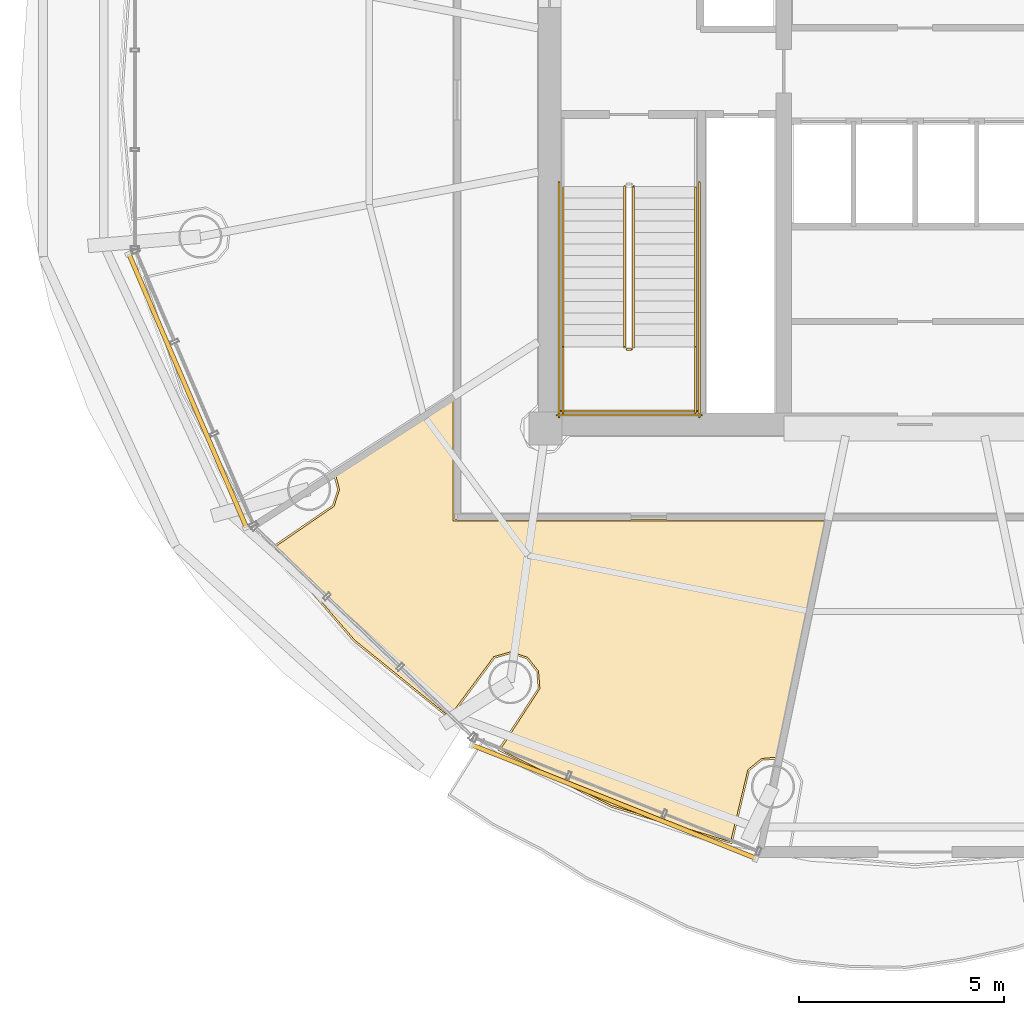
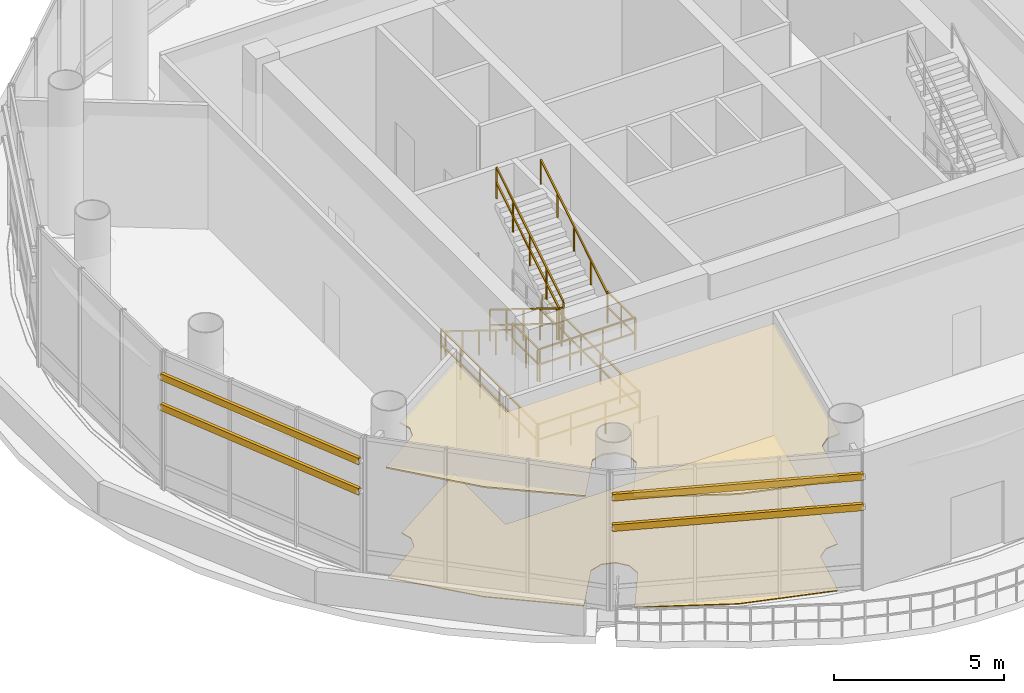
# One storey, part 19 of 22: 11 railings, 4 shading devices, 2 coverings.
"""IFC4 building model written with IfcOpenShell, lengths in metres."""

from ifc_helpers import new_model, si_unit, direction, frame, origin, origin_2d, place, context, subcontext, project, spatial, polyline, rectangle, hollow_rectangle, outline, extrude, source, transform, mapped, material, layer, layer_set, material_profile, profile_set, type_object, element, save


model = new_model("IFC4")

# Units and contexts
model_context = context("Model", 3, precision=1e-05, world=origin(), true_north=direction((-0.2419218956, 0.970295726276)))
body_context = subcontext(model_context, "Body", "Model", "MODEL_VIEW")
ifc_project = project(units=[si_unit("LENGTHUNIT", "METRE"), si_unit("AREAUNIT", "SQUARE_METRE"), si_unit("VOLUMEUNIT", "CUBIC_METRE"), si_unit("PLANEANGLEUNIT", "RADIAN"), si_unit("MASSUNIT", "GRAM", prefix="KILO")], contexts=[model_context])

# Site, building, storey
site_placement = place(None, origin())
site = spatial("IfcSite", under=ifc_project, at=site_placement, CompositionType="ELEMENT")
building_placement = place(site_placement, origin())
building = spatial("IfcBuilding", under=site, at=building_placement, Name="Cobrevalo Terracotta Tower", CompositionType="ELEMENT")
storey_placement = place(building_placement, frame((0.0, 0.0, 243.0)))
storey = spatial("IfcBuildingStorey", under=building, at=storey_placement, Name="L64", CompositionType="ELEMENT", Elevation=243.0)

# Coverings
ifc_material_1 = material(Name="Honed terracotta and granite tile", Category="masonry")
ifc_layer_1 = layer(ifc_material_1, 0.034912109375)
ifc_layer_set_1 = layer_set([ifc_layer_1], Name="Honed terracotta and granite tile")
covering_type_1 = type_object("IfcCoveringType", Name="Honed Terracotta & Granite Interior Flooring 35", PredefinedType="FLOORING", material=ifc_layer_set_1)
covering_1_placement = place(storey_placement, origin())
element("IfcCovering", 1, at=covering_1_placement, inside=storey, type_object=covering_type_1, Name="L64 Accessible Sky Restrooms WC floor finish", PredefinedType="FLOORING", context=body_context, shape_type="SweptSolid", body=[
    extrude(outline(polyline([(30.614013671875, 9.615966796875), (27.898681640625, 10.982666015625), (28.861572265625, 12.465576171875), (28.82763671875, 12.893798828125), (28.561279296875, 13.23095703125), (28.152587890625, 13.363525390625), (27.739013671875, 13.246337890625), (26.653564453125, 11.784423828125), (24.3525390625, 13.648193359375), (22.392578125, 15.903564453125), (23.84912109375, 16.905029296875), (23.9814453125, 17.31396484375), (23.885498046875, 17.685546875), (26.7451171875, 19.527099609375), (26.7451171875, 16.544921875), (35.86328125, 16.544921875), (34.678466796875, 10.80322265625), (34.25927734375, 10.763671875), (33.925048828125, 10.49365234375), (33.504150390625, 8.738037109375), (30.614013671875, 9.615966796875)])), origin(), (0.0, 0.0, 1.0), 0.030029296875),
])
ifc_material_2 = material(Name="Moisture-resistant mineral fibre ceiling", Category="gypsum")
ifc_layer_2 = layer(ifc_material_2, 0.0400390625)
ifc_layer_set_2 = layer_set([ifc_layer_2], Name="Moisture-resistant mineral fibre ceiling")
covering_type_2 = type_object("IfcCoveringType", Name="Moisture-Resistant Wet-Room Ceiling 40", PredefinedType="CEILING", material=ifc_layer_set_2)
covering_2_placement = place(storey_placement, frame((0.0, 0.0, 3.949951171875)))
element("IfcCovering", 2, at=covering_2_placement, inside=storey, type_object=covering_type_2, Name="L64 Accessible Sky Restrooms WC acoustic ceiling", PredefinedType="CEILING", context=body_context, shape_type="SweptSolid", body=[
    extrude(outline(polyline([(30.59716796875, 9.57421875), (27.835205078125, 10.969970703125), (28.8173828125, 12.47509765625), (28.785400390625, 12.877197265625), (28.535400390625, 13.19384765625), (28.151611328125, 13.318115234375), (27.763427734375, 13.208251953125), (26.665771484375, 11.72314453125), (24.3212890625, 13.61572265625), (22.3291015625, 15.916259765625), (23.81201171875, 16.930908203125), (23.936279296875, 17.314697265625), (23.826904296875, 17.701416015625), (26.7900390625, 19.609619140625), (26.7900390625, 16.590087890625), (35.918701171875, 16.590087890625), (34.71435546875, 10.754150390625), (34.2763671875, 10.7216796875), (33.96240234375, 10.46826171875), (33.5390625, 8.685546875), (30.59716796875, 9.57421875)])), origin(), (0.0, 0.0, 1.0), 0.050048828125),
])

# Railings
ifc_material_3 = material(Name="Brushed stainless steel", Category="steel")
railing_type_1 = type_object("IfcRailingType", Name="Stainless Steel Stair Handrail 900", PredefinedType="HANDRAIL", material=ifc_material_3)
railing_1_placement = place(storey_placement, frame((29.425048828125, 24.699951171875, 0.17333984375)))
element("IfcRailing", 3, at=railing_1_placement, inside=storey, type_object=railing_type_1, Name="L64 ST-1 stair handrail 1", PredefinedType="HANDRAIL", context=body_context, shape_type="SweptSolid", body=[
    extrude(rectangle(XDim=0.048095703125, YDim=0.048095703125, at=origin_2d()), frame((0.0, 0.0, 0.8759765625), z_axis=(0.0, -0.850251603719, 0.526376491091), x_axis=(1.0, 0.0, 0.0)), (0.0, 0.0, 1.0), 4.6103515625),
    extrude(rectangle(XDim=0.0419921875, YDim=0.0419921875, at=origin_2d()), origin(), (0.0, 0.0, 1.0), 0.851806640625),
    extrude(rectangle(XDim=0.0419921875, YDim=0.0419921875, at=origin_2d()), frame((0.0, -0.97998046875, 0.606689453125)), (0.0, 0.0, 1.0), 0.851806640625),
    extrude(rectangle(XDim=0.0419921875, YDim=0.0419921875, at=origin_2d()), frame((0.0, -1.9599609375, 1.21337890625)), (0.0, 0.0, 1.0), 0.851806640625),
    extrude(rectangle(XDim=0.0419921875, YDim=0.0419921875, at=origin_2d()), frame((0.0, -2.93994140625, 1.820068359375)), (0.0, 0.0, 1.0), 0.851806640625),
    extrude(rectangle(XDim=0.0419921875, YDim=0.0419921875, at=origin_2d()), frame((0.0, -3.919921875, 2.4267578125)), (0.0, 0.0, 1.0), 0.851806640625),
])
railing_2_placement = place(storey_placement, frame((32.64501953125, 20.780029296875, 2.7734375)))
element("IfcRailing", 4, at=railing_2_placement, inside=storey, type_object=railing_type_1, Name="L64 ST-1 stair handrail 2", PredefinedType="HANDRAIL", context=body_context, shape_type="SweptSolid", body=[
    extrude(rectangle(XDim=0.048095703125, YDim=0.048095703125, at=origin_2d()), frame((0.0, 0.0, 0.8759765625), z_axis=(0.0, 0.850275303828, 0.526338206574), x_axis=(-1.0, 0.0, 0.0)), (0.0, 0.0, 1.0), 4.610107421875),
    extrude(rectangle(XDim=0.0419921875, YDim=0.0419921875, at=origin_2d()), origin(), (0.0, 0.0, 1.0), 0.851806640625),
    extrude(rectangle(XDim=0.0419921875, YDim=0.0419921875, at=origin_2d()), frame((0.0, 0.97998046875, 0.606689453125)), (0.0, 0.0, 1.0), 0.851806640625),
    extrude(rectangle(XDim=0.0419921875, YDim=0.0419921875, at=origin_2d()), frame((0.0, 1.9599609375, 1.21337890625)), (0.0, 0.0, 1.0), 0.851806640625),
    extrude(rectangle(XDim=0.0419921875, YDim=0.0419921875, at=origin_2d()), frame((0.0, 2.93994140625, 1.81982421875)), (0.0, 0.0, 1.0), 0.851806640625),
    extrude(rectangle(XDim=0.0419921875, YDim=0.0419921875, at=origin_2d()), frame((0.0, 3.919921875, 2.426513671875)), (0.0, 0.0, 1.0), 0.851806640625),
])
ifc_material_4 = material(Name="Painted galvanized steel", Category="steel")
railing_type_2 = type_object("IfcRailingType", Name="Stair Well Guard Balustrade 1150", PredefinedType="GUARDRAIL", material=ifc_material_4)
railing_3_placement = place(storey_placement, frame((30.925048828125, 24.699951171875, 0.17333984375)))
element("IfcRailing", 5, at=railing_3_placement, inside=storey, type_object=railing_type_2, Name="L64 ST-1 stair guard 1", PredefinedType="GUARDRAIL", context=body_context, shape_type="SweptSolid", body=[
    extrude(rectangle(XDim=0.048095703125, YDim=0.048095703125, at=origin_2d()), frame((0.0, 0.0, 1.1259765625), z_axis=(0.0, -0.850251603719, 0.526376491091), x_axis=(1.0, 0.0, 0.0)), (0.0, 0.0, 1.0), 4.6103515625),
    extrude(rectangle(XDim=0.048095703125, YDim=0.048095703125, at=origin_2d()), frame((0.0, 0.0, 0.574951171875), z_axis=(0.0, -0.850251603719, 0.526376491091), x_axis=(1.0, 0.0, 0.0)), (0.0, 0.0, 1.0), 4.6103515625),
    extrude(rectangle(XDim=0.0419921875, YDim=0.0419921875, at=origin_2d()), origin(), (0.0, 0.0, 1.0), 1.101806640625),
    extrude(rectangle(XDim=0.0419921875, YDim=0.0419921875, at=origin_2d()), frame((0.0, -0.97998046875, 0.606689453125)), (0.0, 0.0, 1.0), 1.101806640625),
    extrude(rectangle(XDim=0.0419921875, YDim=0.0419921875, at=origin_2d()), frame((0.0, -1.9599609375, 1.21337890625)), (0.0, 0.0, 1.0), 1.101806640625),
    extrude(rectangle(XDim=0.0419921875, YDim=0.0419921875, at=origin_2d()), frame((0.0, -2.93994140625, 1.820068359375)), (0.0, 0.0, 1.0), 1.101806640625),
    extrude(rectangle(XDim=0.0419921875, YDim=0.0419921875, at=origin_2d()), frame((0.0, -3.919921875, 2.4267578125)), (0.0, 0.0, 1.0), 1.101806640625),
])
railing_4_placement = place(storey_placement, frame((30.97509765625, 20.72998046875, 2.60009765625)))
element("IfcRailing", 6, at=railing_4_placement, inside=storey, type_object=railing_type_2, Name="L64 ST-1 stair guard 2", PredefinedType="GUARDRAIL", context=body_context, shape_type="SweptSolid", body=[
    extrude(rectangle(XDim=0.048095703125, YDim=0.048095703125, at=origin_2d()), frame((0.0, 0.0, 1.1259765625), z_axis=(1.0, 0.0, 0.0), x_axis=(0.0, 1.0, 0.0)), (0.0, 0.0, 1.0), 0.119873046875),
    extrude(rectangle(XDim=0.048095703125, YDim=0.048095703125, at=origin_2d()), frame((0.0, 0.0, 0.574951171875), z_axis=(1.0, 0.0, 0.0), x_axis=(0.0, 1.0, 0.0)), (0.0, 0.0, 1.0), 0.119873046875),
    extrude(rectangle(XDim=0.0419921875, YDim=0.0419921875, at=origin_2d()), origin(), (0.0, 0.0, 1.0), 1.101806640625),
    extrude(rectangle(XDim=0.0419921875, YDim=0.0419921875, at=origin_2d()), frame((0.119873046875, 0.0, 0.0)), (0.0, 0.0, 1.0), 1.101806640625),
])
for number, where, name in (
    (7, (29.425048828125, 20.780029296875, 2.60009765625), "L64 ST-1 stair guard 3"),
    (8, (32.64501953125, 20.780029296875, 2.60009765625), "L64 ST-1 stair guard 4"),
):
    element("IfcRailing", number, at=place(storey_placement, frame(where)), inside=storey, type_object=railing_type_2, Name=name, PredefinedType="GUARDRAIL", context=body_context, shape_type="SweptSolid", body=[
        extrude(rectangle(XDim=0.048095703125, YDim=0.048095703125, at=origin_2d()), frame((0.0, 0.0, 1.1259765625), z_axis=(0.0, -1.0, 0.0), x_axis=(1.0, 0.0, 0.0)), (0.0, 0.0, 1.0), 1.60498046875),
        extrude(rectangle(XDim=0.048095703125, YDim=0.048095703125, at=origin_2d()), frame((0.0, 0.0, 0.574951171875), z_axis=(0.0, -1.0, 0.0), x_axis=(1.0, 0.0, 0.0)), (0.0, 0.0, 1.0), 1.60498046875),
        extrude(rectangle(XDim=0.0419921875, YDim=0.0419921875, at=origin_2d()), origin(), (0.0, 0.0, 1.0), 1.101806640625),
        extrude(rectangle(XDim=0.0419921875, YDim=0.0419921875, at=origin_2d()), frame((0.0, -0.802490234375, 0.0)), (0.0, 0.0, 1.0), 1.101806640625),
        extrude(rectangle(XDim=0.0419921875, YDim=0.0419921875, at=origin_2d()), frame((0.0, -1.60498046875, 0.0)), (0.0, 0.0, 1.0), 1.101806640625),
    ])
railing_5_placement = place(storey_placement, frame((29.375, 19.22509765625, 2.60009765625)))
element("IfcRailing", 9, at=railing_5_placement, inside=storey, type_object=railing_type_2, Name="L64 ST-1 stair guard 5", PredefinedType="GUARDRAIL", context=body_context, shape_type="SweptSolid", body=[
    extrude(rectangle(XDim=0.048095703125, YDim=0.048095703125, at=origin_2d()), frame((0.0, 0.0, 1.1259765625), z_axis=(1.0, 0.0, 0.0), x_axis=(0.0, 1.0, 0.0)), (0.0, 0.0, 1.0), 3.320068359375),
    extrude(rectangle(XDim=0.048095703125, YDim=0.048095703125, at=origin_2d()), frame((0.0, 0.0, 0.574951171875), z_axis=(1.0, 0.0, 0.0), x_axis=(0.0, 1.0, 0.0)), (0.0, 0.0, 1.0), 3.320068359375),
    extrude(rectangle(XDim=0.0419921875, YDim=0.0419921875, at=origin_2d()), origin(), (0.0, 0.0, 1.0), 1.101806640625),
    extrude(rectangle(XDim=0.0419921875, YDim=0.0419921875, at=origin_2d()), frame((1.106689453125, 0.0, 0.0)), (0.0, 0.0, 1.0), 1.101806640625),
    extrude(rectangle(XDim=0.0419921875, YDim=0.0419921875, at=origin_2d()), frame((2.21337890625, 0.0, 0.0)), (0.0, 0.0, 1.0), 1.101806640625),
    extrude(rectangle(XDim=0.0419921875, YDim=0.0419921875, at=origin_2d()), frame((3.320068359375, 0.0, 0.0)), (0.0, 0.0, 1.0), 1.101806640625),
])
railing_6_placement = place(storey_placement, frame((31.14501953125, 20.780029296875, 2.7734375)))
element("IfcRailing", 10, at=railing_6_placement, inside=storey, type_object=railing_type_2, Name="L64 ST-1 stair guard 6", PredefinedType="GUARDRAIL", context=body_context, shape_type="SweptSolid", body=[
    extrude(rectangle(XDim=0.048095703125, YDim=0.048095703125, at=origin_2d()), frame((0.0, 0.0, 1.1259765625), z_axis=(0.0, 0.850275303828, 0.526338206574), x_axis=(-1.0, 0.0, 0.0)), (0.0, 0.0, 1.0), 4.610107421875),
    extrude(rectangle(XDim=0.048095703125, YDim=0.048095703125, at=origin_2d()), frame((0.0, 0.0, 0.574951171875), z_axis=(0.0, 0.850275303828, 0.526338206574), x_axis=(-1.0, 0.0, 0.0)), (0.0, 0.0, 1.0), 4.610107421875),
    extrude(rectangle(XDim=0.0419921875, YDim=0.0419921875, at=origin_2d()), origin(), (0.0, 0.0, 1.0), 1.101806640625),
    extrude(rectangle(XDim=0.0419921875, YDim=0.0419921875, at=origin_2d()), frame((0.0, 0.97998046875, 0.606689453125)), (0.0, 0.0, 1.0), 1.101806640625),
    extrude(rectangle(XDim=0.0419921875, YDim=0.0419921875, at=origin_2d()), frame((0.0, 1.9599609375, 1.21337890625)), (0.0, 0.0, 1.0), 1.101806640625),
    extrude(rectangle(XDim=0.0419921875, YDim=0.0419921875, at=origin_2d()), frame((0.0, 2.93994140625, 1.81982421875)), (0.0, 0.0, 1.0), 1.101806640625),
    extrude(rectangle(XDim=0.0419921875, YDim=0.0419921875, at=origin_2d()), frame((0.0, 3.919921875, 2.426513671875)), (0.0, 0.0, 1.0), 1.101806640625),
])
for number, where, name in (
    (11, (29.324951171875, 24.800048828125, 0.0), "L64 ST-1 stair guard 10"),
    (12, (32.7451171875, 24.800048828125, 0.0), "L64 ST-1 stair guard 11"),
):
    element("IfcRailing", number, at=place(storey_placement, frame(where)), inside=storey, type_object=railing_type_2, Name=name, PredefinedType="GUARDRAIL", context=body_context, shape_type="SweptSolid", body=[
        extrude(rectangle(XDim=0.048095703125, YDim=0.048095703125, at=origin_2d()), frame((0.0, 0.0, 1.1259765625), z_axis=(0.0, -1.0, 0.0), x_axis=(1.0, 0.0, 0.0)), (0.0, 0.0, 1.0), 5.72509765625),
        extrude(rectangle(XDim=0.048095703125, YDim=0.048095703125, at=origin_2d()), frame((0.0, 0.0, 0.574951171875), z_axis=(0.0, -1.0, 0.0), x_axis=(1.0, 0.0, 0.0)), (0.0, 0.0, 1.0), 5.72509765625),
        extrude(rectangle(XDim=0.0419921875, YDim=0.0419921875, at=origin_2d()), origin(), (0.0, 0.0, 1.0), 1.101806640625),
        extrude(rectangle(XDim=0.0419921875, YDim=0.0419921875, at=origin_2d()), frame((0.0, -1.14501953125, 0.0)), (0.0, 0.0, 1.0), 1.101806640625),
        extrude(rectangle(XDim=0.0419921875, YDim=0.0419921875, at=origin_2d()), frame((0.0, -2.2900390625, 0.0)), (0.0, 0.0, 1.0), 1.101806640625),
        extrude(rectangle(XDim=0.0419921875, YDim=0.0419921875, at=origin_2d()), frame((0.0, -3.43505859375, 0.0)), (0.0, 0.0, 1.0), 1.101806640625),
        extrude(rectangle(XDim=0.0419921875, YDim=0.0419921875, at=origin_2d()), frame((0.0, -4.580078125, 0.0)), (0.0, 0.0, 1.0), 1.101806640625),
        extrude(rectangle(XDim=0.0419921875, YDim=0.0419921875, at=origin_2d()), frame((0.0, -5.72509765625, 0.0)), (0.0, 0.0, 1.0), 1.101806640625),
    ])
railing_7_placement = place(storey_placement, frame((29.27490234375, 19.125, 0.0)))
element("IfcRailing", 13, at=railing_7_placement, inside=storey, type_object=railing_type_2, Name="L64 ST-1 stair guard 12", PredefinedType="GUARDRAIL", context=body_context, shape_type="SweptSolid", body=[
    extrude(rectangle(XDim=0.048095703125, YDim=0.048095703125, at=origin_2d()), frame((0.0, 0.0, 1.1259765625), z_axis=(1.0, 0.0, 0.0), x_axis=(0.0, 1.0, 0.0)), (0.0, 0.0, 1.0), 3.52001953125),
    extrude(rectangle(XDim=0.048095703125, YDim=0.048095703125, at=origin_2d()), frame((0.0, 0.0, 0.574951171875), z_axis=(1.0, 0.0, 0.0), x_axis=(0.0, 1.0, 0.0)), (0.0, 0.0, 1.0), 3.52001953125),
    extrude(rectangle(XDim=0.0419921875, YDim=0.0419921875, at=origin_2d()), origin(), (0.0, 0.0, 1.0), 1.101806640625),
    extrude(rectangle(XDim=0.0419921875, YDim=0.0419921875, at=origin_2d()), frame((1.17333984375, 0.0, 0.0)), (0.0, 0.0, 1.0), 1.101806640625),
    extrude(rectangle(XDim=0.0419921875, YDim=0.0419921875, at=origin_2d()), frame((2.3466796875, 0.0, 0.0)), (0.0, 0.0, 1.0), 1.101806640625),
    extrude(rectangle(XDim=0.0419921875, YDim=0.0419921875, at=origin_2d()), frame((3.52001953125, 0.0, 0.0)), (0.0, 0.0, 1.0), 1.101806640625),
])

# Shading devices
ifc_material_5 = material(Name="Extruded fired architectural terracotta", Category="masonry")
ifc_material_profile = material_profile(ifc_material_5, hollow_rectangle(XDim=0.110107421875, YDim=0.239990234375, WallThickness=0.01806640625, at=origin_2d()), Name="BAGUETTE 110x240")
ifc_profile_set = profile_set([ifc_material_profile], Name="Extruded fired architectural terracotta")
shading_device_type = type_object("IfcShadingDeviceType", Name="Horizontal Terracotta Baguette Screen 110x240", PredefinedType="USERDEFINED", material=ifc_profile_set)
shared_shape_1 = source(origin(), body_context, "Body", "SweptSolid", [
    extrude(hollow_rectangle(XDim=0.110107421875, YDim=0.239990234375, WallThickness=0.01806640625, at=origin_2d()), origin(), (0.0, 0.0, 1.0), 7.245361328125),
])
for number, where, z_axis, x_axis, name in (
    (14, (18.8525390625, 23.0498046875, 3.062744140625), (0.394846311088, -0.918747185367, 0.0), (0.918747185367, 0.394846311088, 0.0), "CW-SK-L64-S09 horizontal terracotta baguette 1"),
    (15, (18.8525390625, 23.0498046875, 4.149658203125), (0.394846311088, -0.918747185367, 0.0), (0.918747185367, 0.394846311088, 0.0), "CW-SK-L64-S09 horizontal terracotta baguette 2"),
):
    element("IfcShadingDevice", number, at=place(storey_placement, frame(where, z_axis=z_axis, x_axis=x_axis)), inside=storey, type_object=shading_device_type, Name=name, ObjectType="BAGUETTE", PredefinedType="USERDEFINED", context=body_context, shape_type="MappedRepresentation", body=[
        mapped(shared_shape_1, transform((0.0, 0.0, 0.0), scale=1.0)),
    ])
shared_shape_2 = source(origin(), body_context, "Body", "SweptSolid", [
    extrude(hollow_rectangle(XDim=0.110107421875, YDim=0.239990234375, WallThickness=0.01806640625, at=origin_2d()), origin(), (0.0, 0.0, 1.0), 7.4384765625),
])
for number, where, z_axis, x_axis, name in (
    (16, (27.208984375, 11.094482421875, 3.062744140625), (0.928718693882, -0.370785096296, 0.0), (0.370785096296, 0.928718693882, 0.0), "CW-SK-L64-S11 horizontal terracotta baguette 1"),
    (17, (27.208984375, 11.094482421875, 4.149658203125), (0.928718693882, -0.370785096296, 0.0), (0.370785096296, 0.928718693882, 0.0), "CW-SK-L64-S11 horizontal terracotta baguette 2"),
):
    element("IfcShadingDevice", number, at=place(storey_placement, frame(where, z_axis=z_axis, x_axis=x_axis)), inside=storey, type_object=shading_device_type, Name=name, ObjectType="BAGUETTE", PredefinedType="USERDEFINED", context=body_context, shape_type="MappedRepresentation", body=[
        mapped(shared_shape_2, transform((0.0, 0.0, 0.0), scale=1.0)),
    ])

save(model, "model.ifc")
